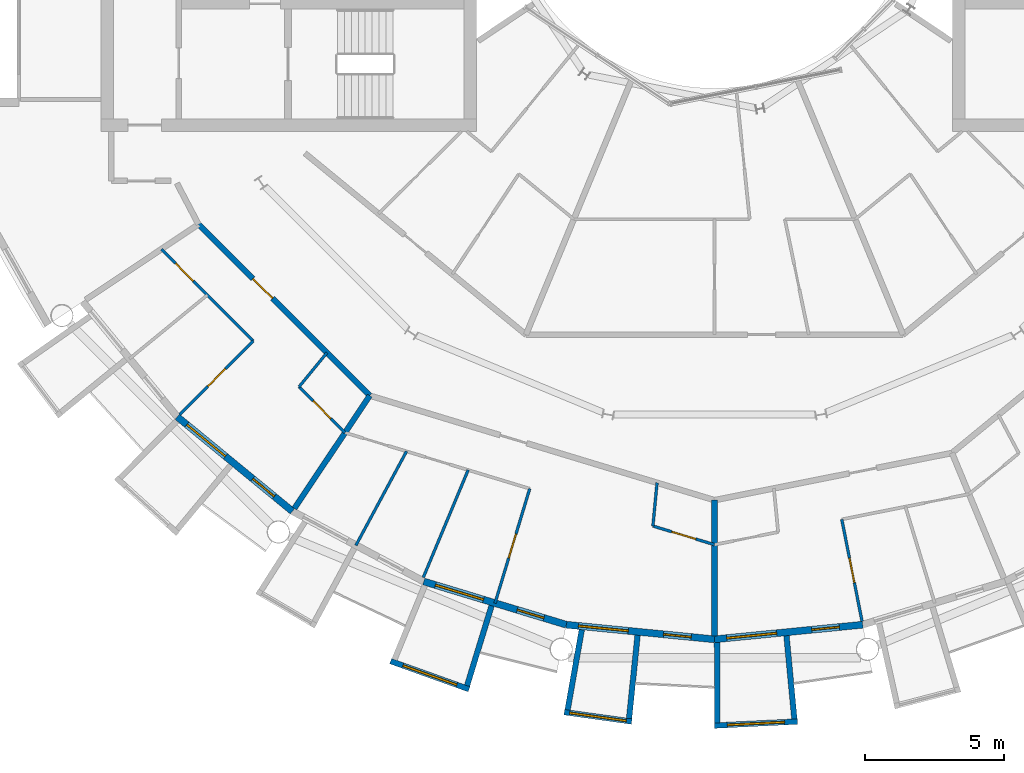
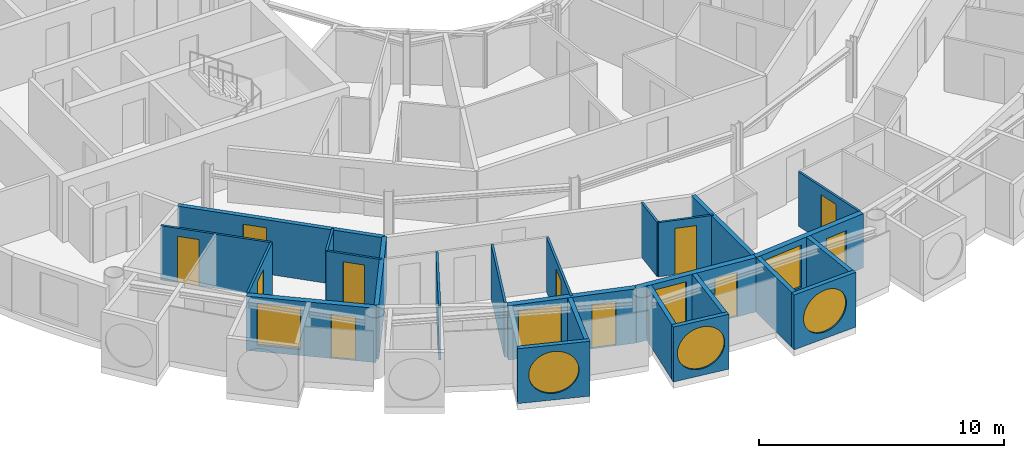
# One storey, part 15 of 27: 25 walls, 11 doors, 7 windows, 18 openings.
"""IFC4 building model written with IfcOpenShell, lengths in metres."""

from ifc_helpers import new_model, si_unit, direction, frame, frame_2d, origin, place, context, subcontext, project, spatial, rectangle, circle, extrude, material, layer, layer_set, type_object, element, fill, save


model = new_model("IFC4")

# Units and contexts
model_context = context("Model", 3, precision=1e-05, world=origin(), true_north=direction((0.0, 1.0)))
body_context = subcontext(model_context, "Body", "Model", "MODEL_VIEW")
ifc_project = project(units=[si_unit("LENGTHUNIT", "METRE"), si_unit("AREAUNIT", "SQUARE_METRE"), si_unit("VOLUMEUNIT", "CUBIC_METRE"), si_unit("PLANEANGLEUNIT", "RADIAN"), si_unit("MASSUNIT", "GRAM", prefix="KILO")], contexts=[model_context])

# Site, building, storey
site_placement = place(None, origin())
site = spatial("IfcSite", under=ifc_project, at=site_placement, CompositionType="ELEMENT")
building_placement = place(site_placement, origin())
building = spatial("IfcBuilding", under=site, at=building_placement, Name="Maasbend Ring Residences", CompositionType="ELEMENT")
storey_placement = place(building_placement, frame((0.0, 0.0, 199.35009765625)))
storey = spatial("IfcBuildingStorey", under=building, at=storey_placement, Name="L57", CompositionType="ELEMENT", Elevation=199.35009765625)

# Wall, opening, door
ifc_material_1 = material(Name="Concrete C30/37", Category="concrete")
ifc_layer_1 = layer(ifc_material_1, 0.199951171875)
ifc_layer_set_1 = layer_set([ifc_layer_1], Name="Concrete C30/37")
wall_type_1 = type_object("IfcWallType", Name="CORRIDOR WALL 200 CONCRETE", PredefinedType="PARTITIONING", material=ifc_layer_set_1)
wall_1_placement = place(storey_placement, frame((-18.5419921875, -12.388916015625, 0.0), z_axis=(0.0, 0.0, 1.0), x_axis=(0.707106781187, -0.707106781187, 0.0)))
wall_1 = element("IfcWall", 1, at=wall_1_placement, inside=storey, type_object=wall_type_1, Name="U-L57-w011", PredefinedType="PARTITIONING", context=body_context, shape_type="SweptSolid", body=[
    extrude(rectangle(XDim=8.70166015625, YDim=0.199951171875, at=frame_2d((4.350830078125, 0.0))), origin(), (0.0, 0.0, 1.0), 2.699951171875),
])
opening_1_placement = place(wall_1_placement, frame((2.762939453125, 0.0, 0.0)))
opening_1 = element("IfcOpeningElement", 2, at=opening_1_placement, cuts=wall_1, Name="Opening D-5731", PredefinedType="OPENING", context=body_context, shape_type="SweptSolid", body=[
    extrude(rectangle(XDim=1.0, YDim=2.300048828125, at=frame_2d((0.5, 1.14990234375))), frame((0.0, 0.10986328125, 0.0), z_axis=(0.0, -1.0, 0.0), x_axis=(1.0, 0.0, 0.0)), (0.0, 0.0, 1.0), 0.219970703125),
])
ifc_material_2 = material(Name="Timber, fire-rated, painted", Category="wood")
door_type_1 = type_object("IfcDoorType", Name="FLAT ENTRANCE DOOR 1000 X 2300 FIRE-RATED", OperationType="NOTDEFINED", PredefinedType="DOOR", material=ifc_material_2)
door_1_placement = place(opening_1_placement, origin())
door_1 = element("IfcDoor", 3, at=door_1_placement, inside=storey, type_object=door_type_1, Name="D-5731", OperationType="SINGLE_SWING_LEFT", OverallHeight=2.300048828125, OverallWidth=1.0, PredefinedType="DOOR", context=body_context, shape_type="SweptSolid", body=[
    extrude(rectangle(XDim=1.0, YDim=2.300048828125, at=frame_2d((0.5, 1.14990234375))), frame((0.0, 0.02490234375, 0.0), z_axis=(0.0, -1.0, 0.0), x_axis=(1.0, 0.0, 0.0)), (0.0, 0.0, 1.0), 0.050048828125),
])
fill(opening_1, door_1)

# Wall, opening, window
ifc_material_3 = material(Name="Pale anodised aluminium panel", Category="aluminium")
ifc_layer_2 = layer(ifc_material_3, 0.199951171875)
ifc_layer_set_2 = layer_set([ifc_layer_2], Name="EW-BOX")
wall_type_2 = type_object("IfcWallType", Name="EW-BOX", PredefinedType="SOLIDWALL", material=ifc_layer_set_2)
wall_2_placement = place(storey_placement, frame((-11.637939453125, -28.083984375, -0.030029296875), z_axis=(0.0, 0.0, 1.0), x_axis=(0.941461077774, -0.337121697664, 0.0)))
wall_2 = element("IfcWall", 4, at=wall_2_placement, inside=storey, type_object=wall_type_2, Name="Box front S07", PredefinedType="SOLIDWALL", context=body_context, shape_type="SweptSolid", body=[
    extrude(rectangle(XDim=2.9931640625, YDim=0.199951171875, at=frame_2d((1.49658203125, 0.0))), origin(), (0.0, 0.0, 1.0), 2.72998046875),
])
opening_2_placement = place(wall_2_placement, frame((0.45654296875, 0.0, 0.330078125)))
opening_2 = element("IfcOpeningElement", 5, at=opening_2_placement, cuts=wall_2, Name="Opening W-RD", PredefinedType="OPENING", context=body_context, shape_type="SweptSolid", body=[
    extrude(circle(Radius=1.0400390625, at=frame_2d((1.0400390625, 1.0400390625))), frame((0.0, 0.10986328125, 0.0), z_axis=(0.0, -1.0, 0.0), x_axis=(1.0, 0.0, 0.0)), (0.0, 0.0, 1.0), 0.219970703125),
])
ifc_material_4 = material(Name="Aluminium and clear glass", Category="aluminium")
window_type_1 = type_object("IfcWindowType", Name="W-RD", PartitioningType="SINGLE_PANEL", PredefinedType="WINDOW", material=ifc_material_4)
window_1_placement = place(opening_2_placement, origin())
window_1 = element("IfcWindow", 6, at=window_1_placement, inside=storey, type_object=window_type_1, Name="Round window S07", OverallHeight=2.080078125, OverallWidth=2.080078125, PartitioningType="SINGLE_PANEL", PredefinedType="WINDOW", context=body_context, shape_type="SweptSolid", body=[
    extrude(circle(Radius=1.0400390625, at=frame_2d((1.0400390625, 1.0400390625))), frame((0.0, 0.030029296875, 0.0), z_axis=(0.0, -1.0, 0.0), x_axis=(1.0, 0.0, 0.0)), (0.0, 0.0, 1.0), 0.06005859375),
])
fill(opening_2, window_1)

# Wall
wall_3_placement = place(storey_placement, frame((-8.009033203125, -26.092041015625, -0.030029296875), z_axis=(0.0, 0.0, 1.0), x_axis=(-0.293406695073, -0.955987715029, 0.0)))
element("IfcWall", 7, at=wall_3_placement, inside=storey, type_object=wall_type_2, Name="Box side wall S07 right", PredefinedType="SOLIDWALL", context=body_context, shape_type="SweptSolid", body=[
    extrude(rectangle(XDim=3.00634765625, YDim=0.199951171875, at=frame_2d((1.503173828125, 0.0))), origin(), (0.0, 0.0, 1.0), 2.72998046875),
])

# Wall, opening, window
wall_4_placement = place(storey_placement, frame((-5.39794921875, -29.9169921875, -0.030029296875), z_axis=(0.0, 0.0, 1.0), x_axis=(0.990462016113, -0.137786046596, 0.0)))
wall_4 = element("IfcWall", 8, at=wall_4_placement, inside=storey, type_object=wall_type_2, Name="Box front S09", PredefinedType="SOLIDWALL", context=body_context, shape_type="SweptSolid", body=[
    extrude(rectangle(XDim=2.4453125, YDim=0.199951171875, at=frame_2d((1.22265625, 0.0))), origin(), (0.0, 0.0, 1.0), 2.72998046875),
])
opening_3_placement = place(wall_4_placement, frame((0.182861328125, 0.0, 0.330078125)))
opening_3 = element("IfcOpeningElement", 9, at=opening_3_placement, cuts=wall_4, Name="Opening W-RD", PredefinedType="OPENING", context=body_context, shape_type="SweptSolid", body=[
    extrude(circle(Radius=1.0400390625, at=frame_2d((1.0400390625, 1.0400390625))), frame((0.0, 0.10986328125, 0.0), z_axis=(0.0, -1.0, 0.0), x_axis=(1.0, 0.0, 0.0)), (0.0, 0.0, 1.0), 0.219970703125),
])
window_2_placement = place(opening_3_placement, origin())
window_2 = element("IfcWindow", 10, at=window_2_placement, inside=storey, type_object=window_type_1, Name="Round window S09", OverallHeight=2.080078125, OverallWidth=2.080078125, PartitioningType="SINGLE_PANEL", PredefinedType="WINDOW", context=body_context, shape_type="SweptSolid", body=[
    extrude(circle(Radius=1.0400390625, at=frame_2d((1.0400390625, 1.0400390625))), frame((0.0, 0.030029296875, 0.0), z_axis=(0.0, -1.0, 0.0), x_axis=(1.0, 0.0, 0.0)), (0.0, 0.0, 1.0), 0.06005859375),
])
fill(opening_3, window_2)

# Walls
wall_5_placement = place(storey_placement, frame((-4.76904296875, -26.9560546875, -0.030029296875), z_axis=(0.0, 0.0, 1.0), x_axis=(-0.174056778901, -0.984735618183, 0.0)))
element("IfcWall", 11, at=wall_5_placement, inside=storey, type_object=wall_type_2, Name="Box side wall S09 left", PredefinedType="SOLIDWALL", context=body_context, shape_type="SweptSolid", body=[
    extrude(rectangle(XDim=2.924560546875, YDim=0.199951171875, at=frame_2d((1.46240234375, 0.0))), origin(), (0.0, 0.0, 1.0), 2.72998046875),
])
wall_6_placement = place(storey_placement, frame((-2.763916015625, -27.153076171875, -0.030029296875), z_axis=(0.0, 0.0, 1.0), x_axis=(-0.101505487237, -0.994834979311, 0.0)))
element("IfcWall", 12, at=wall_6_placement, inside=storey, type_object=wall_type_2, Name="Box side wall S09 right", PredefinedType="SOLIDWALL", context=body_context, shape_type="SweptSolid", body=[
    extrude(rectangle(XDim=3.006591796875, YDim=0.199951171875, at=frame_2d((1.50341796875, 0.0))), origin(), (0.0, 0.0, 1.0), 2.72998046875),
])

# Wall, opening, window
wall_7_placement = place(storey_placement, frame((-0.0048828125, -30.39990234375, -0.030029296875), z_axis=(0.0, 0.0, 1.0), x_axis=(0.998794083011, 0.049095618353, 0.0)))
wall_7 = element("IfcWall", 13, at=wall_7_placement, inside=storey, type_object=wall_type_2, Name="Box front S11", PredefinedType="SOLIDWALL", context=body_context, shape_type="SweptSolid", body=[
    extrude(rectangle(XDim=2.99365234375, YDim=0.199951171875, at=frame_2d((1.496826171875, 0.0))), origin(), (0.0, 0.0, 1.0), 2.72998046875),
])
opening_4_placement = place(wall_7_placement, frame((0.45654296875, 0.0, 0.330078125)))
opening_4 = element("IfcOpeningElement", 14, at=opening_4_placement, cuts=wall_7, Name="Opening W-RD", PredefinedType="OPENING", context=body_context, shape_type="SweptSolid", body=[
    extrude(circle(Radius=1.0400390625, at=frame_2d((1.0400390625, 1.0400390625))), frame((0.0, 0.10986328125, 0.0), z_axis=(0.0, -1.0, 0.0), x_axis=(1.0, 0.0, 0.0)), (0.0, 0.0, 1.0), 0.219970703125),
])
window_3_placement = place(opening_4_placement, origin())
window_3 = element("IfcWindow", 15, at=window_3_placement, inside=storey, type_object=window_type_1, Name="Round window S11", OverallHeight=2.080078125, OverallWidth=2.080078125, PartitioningType="SINGLE_PANEL", PredefinedType="WINDOW", context=body_context, shape_type="SweptSolid", body=[
    extrude(circle(Radius=1.0400390625, at=frame_2d((1.0400390625, 1.0400390625))), frame((0.0, 0.030029296875, 0.0), z_axis=(0.0, -1.0, 0.0), x_axis=(1.0, 0.0, 0.0)), (0.0, 0.0, 1.0), 0.06005859375),
])
fill(opening_4, window_3)

# Walls
wall_8_placement = place(storey_placement, frame((0.090087890625, -27.4169921875, -0.030029296875), z_axis=(0.0, 0.0, 1.0), x_axis=(0.00347308367, -0.999993968827, 0.0)))
element("IfcWall", 16, at=wall_8_placement, inside=storey, type_object=wall_type_2, Name="Box side wall S11 left", PredefinedType="SOLIDWALL", context=body_context, shape_type="SweptSolid", body=[
    extrude(rectangle(XDim=2.882080078125, YDim=0.199951171875, at=frame_2d((1.44091796875, 0.0))), origin(), (0.0, 0.0, 1.0), 2.72998046875),
])
wall_9_placement = place(storey_placement, frame((2.5859375, -27.1708984375, -0.030029296875), z_axis=(0.0, 0.0, 1.0), x_axis=(0.094548432284, -0.995520262954, 0.0)))
element("IfcWall", 17, at=wall_9_placement, inside=storey, type_object=wall_type_2, Name="Box side wall S11 right", PredefinedType="SOLIDWALL", context=body_context, shape_type="SweptSolid", body=[
    extrude(rectangle(XDim=3.005615234375, YDim=0.199951171875, at=frame_2d((1.5029296875, 0.0))), origin(), (0.0, 0.0, 1.0), 2.72998046875),
])

# Wall, openings, door, window
ifc_material_5 = material(Name="Aluminium clad insulated panel", Category="aluminium")
ifc_layer_3 = layer(ifc_material_5, 0.25)
ifc_layer_set_3 = layer_set([ifc_layer_3], Name="EW-GL")
wall_type_3 = type_object("IfcWallType", Name="EW-GL", PredefinedType="SOLIDWALL", material=ifc_layer_set_3)
wall_10_placement = place(storey_placement, frame((-19.303955078125, -19.303955078125, 0.0), z_axis=(0.0, 0.0, 1.0), x_axis=(0.773019449054, -0.634382322723, 0.0)))
wall_10 = element("IfcWall", 18, at=wall_10_placement, inside=storey, type_object=wall_type_3, Name="External wall S02", PredefinedType="SOLIDWALL", context=body_context, shape_type="SweptSolid", body=[
    extrude(rectangle(XDim=5.351806640625, YDim=0.25, at=frame_2d((2.67578125, 0.0))), origin(), (0.0, 0.0, 1.0), 2.699951171875),
])
opening_5_placement = place(wall_10_placement, frame((0.441162109375, 0.0, 0.300048828125)))
opening_5 = element("IfcOpeningElement", 19, at=opening_5_placement, cuts=wall_10, Name="Opening W-BX", PredefinedType="OPENING", context=body_context, shape_type="SweptSolid", body=[
    extrude(rectangle(XDim=1.800048828125, YDim=2.10009765625, at=frame_2d((0.89990234375, 1.050048828125))), frame((0.0, 0.135009765625, 0.0), z_axis=(0.0, -1.0, 0.0), x_axis=(1.0, 0.0, 0.0)), (0.0, 0.0, 1.0), 0.27001953125),
])
opening_6_placement = place(wall_10_placement, frame((3.510498046875, 0.0, 0.0)))
opening_6 = element("IfcOpeningElement", 20, at=opening_6_placement, cuts=wall_10, Name="Opening D-LG", PredefinedType="OPENING", context=body_context, shape_type="SweptSolid", body=[
    extrude(rectangle(XDim=1.0, YDim=2.199951171875, at=frame_2d((0.5, 1.10009765625))), frame((0.0, 0.135009765625, 0.0), z_axis=(0.0, -1.0, 0.0), x_axis=(1.0, 0.0, 0.0)), (0.0, 0.0, 1.0), 0.27001953125),
])
ifc_material_6 = material(Name="Aluminium and clear glass", Category="aluminium")
door_type_2 = type_object("IfcDoorType", Name="D-LG", OperationType="SINGLE_SWING_LEFT", PredefinedType="DOOR", material=ifc_material_6)
door_2_placement = place(opening_6_placement, origin())
door_2 = element("IfcDoor", 21, at=door_2_placement, inside=storey, type_object=door_type_2, Name="Loggia door S04", OperationType="SINGLE_SWING_LEFT", OverallHeight=2.199951171875, OverallWidth=1.0, PredefinedType="DOOR", context=body_context, shape_type="SweptSolid", body=[
    extrude(rectangle(XDim=1.0, YDim=2.199951171875, at=frame_2d((0.5, 1.10009765625))), frame((0.0, 0.02490234375, 0.0), z_axis=(0.0, -1.0, 0.0), x_axis=(1.0, 0.0, 0.0)), (0.0, 0.0, 1.0), 0.050048828125),
])
fill(opening_6, door_2)
ifc_material_7 = material(Name="Aluminium and clear glass", Category="aluminium")
window_type_2 = type_object("IfcWindowType", Name="W-BX", PartitioningType="DOUBLE_PANEL_VERTICAL", PredefinedType="WINDOW", material=ifc_material_7)
window_4_placement = place(opening_5_placement, origin())
window_4 = element("IfcWindow", 22, at=window_4_placement, inside=storey, type_object=window_type_2, Name="Window S03 room to box", OverallHeight=2.10009765625, OverallWidth=1.800048828125, PartitioningType="SINGLE_PANEL", PredefinedType="WINDOW", context=body_context, shape_type="SweptSolid", body=[
    extrude(rectangle(XDim=1.800048828125, YDim=2.10009765625, at=frame_2d((0.89990234375, 1.050048828125))), frame((0.0, 0.030029296875, 0.0), z_axis=(0.0, -1.0, 0.0), x_axis=(1.0, 0.0, 0.0)), (0.0, 0.0, 1.0), 0.06005859375),
])
fill(opening_5, window_4)

wall_11_placement = place(storey_placement, frame((-10.447021484375, -25.221923828125, 0.0), z_axis=(0.0, 0.0, 1.0), x_axis=(0.956965678721, -0.290201119486, 0.0)))
wall_11 = element("IfcWall", 23, at=wall_11_placement, inside=storey, type_object=wall_type_3, Name="External wall S04", PredefinedType="SOLIDWALL", context=body_context, shape_type="SweptSolid", body=[
    extrude(rectangle(XDim=5.351318359375, YDim=0.25, at=frame_2d((2.67578125, 0.0))), origin(), (0.0, 0.0, 1.0), 2.699951171875),
])
opening_7_placement = place(wall_11_placement, frame((0.441162109375, 0.0, 0.300048828125)))
opening_7 = element("IfcOpeningElement", 24, at=opening_7_placement, cuts=wall_11, Name="Opening W-BX", PredefinedType="OPENING", context=body_context, shape_type="SweptSolid", body=[
    extrude(rectangle(XDim=1.800048828125, YDim=2.10009765625, at=frame_2d((0.89990234375, 1.050048828125))), frame((0.0, 0.135009765625, 0.0), z_axis=(0.0, -1.0, 0.0), x_axis=(1.0, 0.0, 0.0)), (0.0, 0.0, 1.0), 0.27001953125),
])
opening_8_placement = place(wall_11_placement, frame((3.510498046875, 0.0, 0.0)))
opening_8 = element("IfcOpeningElement", 25, at=opening_8_placement, cuts=wall_11, Name="Opening D-LG", PredefinedType="OPENING", context=body_context, shape_type="SweptSolid", body=[
    extrude(rectangle(XDim=1.0, YDim=2.199951171875, at=frame_2d((0.5, 1.10009765625))), frame((0.0, 0.135009765625, 0.0), z_axis=(0.0, -1.0, 0.0), x_axis=(1.0, 0.0, 0.0)), (0.0, 0.0, 1.0), 0.27001953125),
])
door_3_placement = place(opening_8_placement, origin())
door_3 = element("IfcDoor", 26, at=door_3_placement, inside=storey, type_object=door_type_2, Name="Loggia door S08", OperationType="SINGLE_SWING_LEFT", OverallHeight=2.199951171875, OverallWidth=1.0, PredefinedType="DOOR", context=body_context, shape_type="SweptSolid", body=[
    extrude(rectangle(XDim=1.0, YDim=2.199951171875, at=frame_2d((0.5, 1.10009765625))), frame((0.0, 0.02490234375, 0.0), z_axis=(0.0, -1.0, 0.0), x_axis=(1.0, 0.0, 0.0)), (0.0, 0.0, 1.0), 0.050048828125),
])
fill(opening_8, door_3)
window_5_placement = place(opening_7_placement, origin())
window_5 = element("IfcWindow", 27, at=window_5_placement, inside=storey, type_object=window_type_2, Name="Window S07 room to box", OverallHeight=2.10009765625, OverallWidth=1.800048828125, PartitioningType="SINGLE_PANEL", PredefinedType="WINDOW", context=body_context, shape_type="SweptSolid", body=[
    extrude(rectangle(XDim=1.800048828125, YDim=2.10009765625, at=frame_2d((0.89990234375, 1.050048828125))), frame((0.0, 0.030029296875, 0.0), z_axis=(0.0, -1.0, 0.0), x_axis=(1.0, 0.0, 0.0)), (0.0, 0.0, 1.0), 0.06005859375),
])
fill(opening_7, window_5)

wall_12_placement = place(storey_placement, frame((-5.325927734375, -26.77490234375, 0.0), z_axis=(0.0, 0.0, 1.0), x_axis=(0.995173996315, -0.098126026407, 0.0)))
wall_12 = element("IfcWall", 28, at=wall_12_placement, inside=storey, type_object=wall_type_3, Name="External wall S05", PredefinedType="SOLIDWALL", context=body_context, shape_type="SweptSolid", body=[
    extrude(rectangle(XDim=5.351806640625, YDim=0.25, at=frame_2d((2.67578125, 0.0))), origin(), (0.0, 0.0, 1.0), 2.699951171875),
])
opening_9_placement = place(wall_12_placement, frame((0.441162109375, 0.0, 0.300048828125)))
opening_9 = element("IfcOpeningElement", 29, at=opening_9_placement, cuts=wall_12, Name="Opening W-BX", PredefinedType="OPENING", context=body_context, shape_type="SweptSolid", body=[
    extrude(rectangle(XDim=1.800048828125, YDim=2.10009765625, at=frame_2d((0.89990234375, 1.050048828125))), frame((0.0, 0.135009765625, 0.0), z_axis=(0.0, -1.0, 0.0), x_axis=(1.0, 0.0, 0.0)), (0.0, 0.0, 1.0), 0.27001953125),
])
opening_10_placement = place(wall_12_placement, frame((3.510498046875, 0.0, 0.0)))
opening_10 = element("IfcOpeningElement", 30, at=opening_10_placement, cuts=wall_12, Name="Opening D-LG", PredefinedType="OPENING", context=body_context, shape_type="SweptSolid", body=[
    extrude(rectangle(XDim=1.0, YDim=2.199951171875, at=frame_2d((0.5, 1.10009765625))), frame((0.0, 0.135009765625, 0.0), z_axis=(0.0, -1.0, 0.0), x_axis=(1.0, 0.0, 0.0)), (0.0, 0.0, 1.0), 0.27001953125),
])
door_4_placement = place(opening_10_placement, origin())
door_4 = element("IfcDoor", 31, at=door_4_placement, inside=storey, type_object=door_type_2, Name="Loggia door S10", OperationType="SINGLE_SWING_LEFT", OverallHeight=2.199951171875, OverallWidth=1.0, PredefinedType="DOOR", context=body_context, shape_type="SweptSolid", body=[
    extrude(rectangle(XDim=1.0, YDim=2.199951171875, at=frame_2d((0.5, 1.10009765625))), frame((0.0, 0.02490234375, 0.0), z_axis=(0.0, -1.0, 0.0), x_axis=(1.0, 0.0, 0.0)), (0.0, 0.0, 1.0), 0.050048828125),
])
fill(opening_10, door_4)
window_6_placement = place(opening_9_placement, origin())
window_6 = element("IfcWindow", 32, at=window_6_placement, inside=storey, type_object=window_type_2, Name="Window S09 room to box", OverallHeight=2.10009765625, OverallWidth=1.800048828125, PartitioningType="SINGLE_PANEL", PredefinedType="WINDOW", context=body_context, shape_type="SweptSolid", body=[
    extrude(rectangle(XDim=1.800048828125, YDim=2.10009765625, at=frame_2d((0.89990234375, 1.050048828125))), frame((0.0, 0.030029296875, 0.0), z_axis=(0.0, -1.0, 0.0), x_axis=(1.0, 0.0, 0.0)), (0.0, 0.0, 1.0), 0.06005859375),
])
fill(opening_9, window_6)

wall_13_placement = place(storey_placement, frame((0.0, -27.300048828125, 0.0), z_axis=(0.0, 0.0, 1.0), x_axis=(0.995173996315, 0.098126026407, 0.0)))
wall_13 = element("IfcWall", 33, at=wall_13_placement, inside=storey, type_object=wall_type_3, Name="External wall S06", PredefinedType="SOLIDWALL", context=body_context, shape_type="SweptSolid", body=[
    extrude(rectangle(XDim=5.351806640625, YDim=0.25, at=frame_2d((2.67578125, 0.0))), origin(), (0.0, 0.0, 1.0), 2.699951171875),
])
opening_11_placement = place(wall_13_placement, frame((0.441162109375, 0.0, 0.300048828125)))
opening_11 = element("IfcOpeningElement", 34, at=opening_11_placement, cuts=wall_13, Name="Opening W-BX", PredefinedType="OPENING", context=body_context, shape_type="SweptSolid", body=[
    extrude(rectangle(XDim=1.800048828125, YDim=2.10009765625, at=frame_2d((0.89990234375, 1.050048828125))), frame((0.0, 0.135009765625, 0.0), z_axis=(0.0, -1.0, 0.0), x_axis=(1.0, 0.0, 0.0)), (0.0, 0.0, 1.0), 0.27001953125),
])
opening_12_placement = place(wall_13_placement, frame((3.510498046875, 0.0, 0.0)))
opening_12 = element("IfcOpeningElement", 35, at=opening_12_placement, cuts=wall_13, Name="Opening D-LG", PredefinedType="OPENING", context=body_context, shape_type="SweptSolid", body=[
    extrude(rectangle(XDim=1.0, YDim=2.199951171875, at=frame_2d((0.5, 1.10009765625))), frame((0.0, 0.135009765625, 0.0), z_axis=(0.0, -1.0, 0.0), x_axis=(1.0, 0.0, 0.0)), (0.0, 0.0, 1.0), 0.27001953125),
])
door_5_placement = place(opening_12_placement, origin())
door_5 = element("IfcDoor", 36, at=door_5_placement, inside=storey, type_object=door_type_2, Name="Loggia door S12", OperationType="SINGLE_SWING_LEFT", OverallHeight=2.199951171875, OverallWidth=1.0, PredefinedType="DOOR", context=body_context, shape_type="SweptSolid", body=[
    extrude(rectangle(XDim=1.0, YDim=2.199951171875, at=frame_2d((0.5, 1.10009765625))), frame((0.0, 0.02490234375, 0.0), z_axis=(0.0, -1.0, 0.0), x_axis=(1.0, 0.0, 0.0)), (0.0, 0.0, 1.0), 0.050048828125),
])
fill(opening_12, door_5)
window_7_placement = place(opening_11_placement, origin())
window_7 = element("IfcWindow", 37, at=window_7_placement, inside=storey, type_object=window_type_2, Name="Window S11 room to box", OverallHeight=2.10009765625, OverallWidth=1.800048828125, PartitioningType="SINGLE_PANEL", PredefinedType="WINDOW", context=body_context, shape_type="SweptSolid", body=[
    extrude(rectangle(XDim=1.800048828125, YDim=2.10009765625, at=frame_2d((0.89990234375, 1.050048828125))), frame((0.0, 0.030029296875, 0.0), z_axis=(0.0, -1.0, 0.0), x_axis=(1.0, 0.0, 0.0)), (0.0, 0.0, 1.0), 0.06005859375),
])
fill(opening_11, window_7)

# Wall, opening, door
ifc_material_8 = material(Name="Gypsum board on steel studs", Category="steel")
ifc_layer_4 = layer(ifc_material_8, 0.10009765625)
ifc_layer_set_4 = layer_set([ifc_layer_4], Name="PARTITION 100 GYPSUM")
wall_type_4 = type_object("IfcWallType", Name="PARTITION 100 GYPSUM", PredefinedType="PARTITIONING", material=ifc_layer_set_4)
wall_14_placement = place(storey_placement, frame((-19.868896484375, -13.284912109375, 0.0), z_axis=(0.0, 0.0, 1.0), x_axis=(0.707290020325, -0.706923494552, 0.0)))
wall_14 = element("IfcWall", 38, at=wall_14_placement, inside=storey, type_object=wall_type_4, Name="U-L57-w001", PredefinedType="PARTITIONING", context=body_context, shape_type="SweptSolid", body=[
    extrude(rectangle(XDim=4.66259765625, YDim=0.10009765625, at=frame_2d((2.331298828125, 0.0))), origin(), (0.0, 0.0, 1.0), 2.699951171875),
])
opening_13_placement = place(wall_14_placement, frame((0.7119140625, 0.0, 0.0)))
opening_13 = element("IfcOpeningElement", 39, at=opening_13_placement, cuts=wall_14, Name="Opening D-5734", PredefinedType="OPENING", context=body_context, shape_type="SweptSolid", body=[
    extrude(rectangle(XDim=0.89990234375, YDim=2.300048828125, at=frame_2d((0.449951171875, 1.14990234375))), frame((0.0, 0.06005859375, 0.0), z_axis=(0.0, -1.0, 0.0), x_axis=(1.0, 0.0, 0.0)), (0.0, 0.0, 1.0), 0.1201171875),
])
ifc_material_9 = material(Name="Timber, painted", Category="wood")
door_type_3 = type_object("IfcDoorType", Name="INTERNAL DOOR 900 X 2300", OperationType="NOTDEFINED", PredefinedType="DOOR", material=ifc_material_9)
door_6_placement = place(opening_13_placement, origin())
door_6 = element("IfcDoor", 40, at=door_6_placement, inside=storey, type_object=door_type_3, Name="D-5734", OperationType="SINGLE_SWING_LEFT", OverallHeight=2.300048828125, OverallWidth=0.89990234375, PredefinedType="DOOR", context=body_context, shape_type="SweptSolid", body=[
    extrude(rectangle(XDim=0.89990234375, YDim=2.300048828125, at=frame_2d((0.449951171875, 1.14990234375))), frame((0.0, 0.02490234375, 0.0), z_axis=(0.0, -1.0, 0.0), x_axis=(1.0, 0.0, 0.0)), (0.0, 0.0, 1.0), 0.050048828125),
])
fill(opening_13, door_6)

wall_15_placement = place(storey_placement, frame((-14.927001953125, -18.22412109375, 0.0), z_axis=(0.0, 0.0, 1.0), x_axis=(0.707316201218, -0.706897299114, 0.0)))
wall_15 = element("IfcWall", 41, at=wall_15_placement, inside=storey, type_object=wall_type_4, Name="U-L57-w002", PredefinedType="PARTITIONING", context=body_context, shape_type="SweptSolid", body=[
    extrude(rectangle(XDim=2.331298828125, YDim=0.10009765625, at=frame_2d((1.16552734375, 0.0))), origin(), (0.0, 0.0, 1.0), 2.699951171875),
])
opening_14_placement = place(wall_15_placement, frame((0.716064453125, 0.0, 0.0)))
opening_14 = element("IfcOpeningElement", 42, at=opening_14_placement, cuts=wall_15, Name="Opening D-5732", PredefinedType="OPENING", context=body_context, shape_type="SweptSolid", body=[
    extrude(rectangle(XDim=0.89990234375, YDim=2.300048828125, at=frame_2d((0.449951171875, 1.14990234375))), frame((0.0, 0.06005859375, 0.0), z_axis=(0.0, -1.0, 0.0), x_axis=(1.0, 0.0, 0.0)), (0.0, 0.0, 1.0), 0.1201171875),
])
door_7_placement = place(opening_14_placement, origin())
door_7 = element("IfcDoor", 43, at=door_7_placement, inside=storey, type_object=door_type_3, Name="D-5732", OperationType="SINGLE_SWING_LEFT", OverallHeight=2.300048828125, OverallWidth=0.89990234375, PredefinedType="DOOR", context=body_context, shape_type="SweptSolid", body=[
    extrude(rectangle(XDim=0.89990234375, YDim=2.300048828125, at=frame_2d((0.449951171875, 1.14990234375))), frame((0.0, 0.02490234375, 0.0), z_axis=(0.0, -1.0, 0.0), x_axis=(1.0, 0.0, 0.0)), (0.0, 0.0, 1.0), 0.050048828125),
])
fill(opening_14, door_7)

wall_16_placement = place(storey_placement, frame((-2.212890625, -23.22900390625, 0.0), z_axis=(0.0, 0.0, 1.0), x_axis=(0.957056340114, -0.289901986622, 0.0)))
wall_16 = element("IfcWall", 44, at=wall_16_placement, inside=storey, type_object=wall_type_4, Name="U-L57-w006", PredefinedType="PARTITIONING", context=body_context, shape_type="SweptSolid", body=[
    extrude(rectangle(XDim=2.314208984375, YDim=0.10009765625, at=frame_2d((1.1572265625, 0.0))), origin(), (0.0, 0.0, 1.0), 2.699951171875),
])
opening_15_placement = place(wall_16_placement, frame((0.70703125, 0.0, 0.0)))
opening_15 = element("IfcOpeningElement", 45, at=opening_15_placement, cuts=wall_16, Name="Opening D-5736", PredefinedType="OPENING", context=body_context, shape_type="SweptSolid", body=[
    extrude(rectangle(XDim=0.89990234375, YDim=2.300048828125, at=frame_2d((0.449951171875, 1.14990234375))), frame((0.0, 0.06005859375, 0.0), z_axis=(0.0, -1.0, 0.0), x_axis=(1.0, 0.0, 0.0)), (0.0, 0.0, 1.0), 0.1201171875),
])
door_8_placement = place(opening_15_placement, origin())
door_8 = element("IfcDoor", 46, at=door_8_placement, inside=storey, type_object=door_type_3, Name="D-5736", OperationType="SINGLE_SWING_LEFT", OverallHeight=2.300048828125, OverallWidth=0.89990234375, PredefinedType="DOOR", context=body_context, shape_type="SweptSolid", body=[
    extrude(rectangle(XDim=0.89990234375, YDim=2.300048828125, at=frame_2d((0.449951171875, 1.14990234375))), frame((0.0, 0.02490234375, 0.0), z_axis=(0.0, -1.0, 0.0), x_axis=(1.0, 0.0, 0.0)), (0.0, 0.0, 1.0), 0.050048828125),
])
fill(opening_15, door_8)

# Wall
wall_17_placement = place(storey_placement, frame((-14.927001953125, -18.22412109375, 0.0), z_axis=(0.0, 0.0, 1.0), x_axis=(0.633861186344, 0.773446828454, 0.0)))
element("IfcWall", 47, at=wall_17_placement, inside=storey, type_object=wall_type_4, Name="U-L57-w031", PredefinedType="PARTITIONING", context=body_context, shape_type="SweptSolid", body=[
    extrude(rectangle(XDim=1.57763671875, YDim=0.10009765625, at=frame_2d((0.788818359375, 0.0))), origin(), (0.0, 0.0, 1.0), 2.699951171875),
])

# Wall, opening, door
wall_18_placement = place(storey_placement, frame((-19.216064453125, -19.216064453125, 0.0), z_axis=(0.0, 0.0, 1.0), x_axis=(0.707106781187, 0.707106781187, 0.0)))
wall_18 = element("IfcWall", 48, at=wall_18_placement, inside=storey, type_object=wall_type_4, Name="U-L57-w036", PredefinedType="PARTITIONING", context=body_context, shape_type="SweptSolid", body=[
    extrude(rectangle(XDim=3.735107421875, YDim=0.10009765625, at=frame_2d((1.86767578125, 0.0))), origin(), (0.0, 0.0, 1.0), 2.699951171875),
])
opening_16_placement = place(wall_18_placement, frame((1.4169921875, 0.0, 0.0)))
opening_16 = element("IfcOpeningElement", 49, at=opening_16_placement, cuts=wall_18, Name="Opening D-5733", PredefinedType="OPENING", context=body_context, shape_type="SweptSolid", body=[
    extrude(rectangle(XDim=0.89990234375, YDim=2.300048828125, at=frame_2d((0.449951171875, 1.14990234375))), frame((0.0, 0.06005859375, 0.0), z_axis=(0.0, -1.0, 0.0), x_axis=(1.0, 0.0, 0.0)), (0.0, 0.0, 1.0), 0.1201171875),
])
door_9_placement = place(opening_16_placement, origin())
door_9 = element("IfcDoor", 50, at=door_9_placement, inside=storey, type_object=door_type_3, Name="D-5733", OperationType="SINGLE_SWING_LEFT", OverallHeight=2.300048828125, OverallWidth=0.89990234375, PredefinedType="DOOR", context=body_context, shape_type="SweptSolid", body=[
    extrude(rectangle(XDim=0.89990234375, YDim=2.300048828125, at=frame_2d((0.449951171875, 1.14990234375))), frame((0.0, 0.02490234375, 0.0), z_axis=(0.0, -1.0, 0.0), x_axis=(1.0, 0.0, 0.0)), (0.0, 0.0, 1.0), 0.050048828125),
])
fill(opening_16, door_9)

# Walls
wall_19_placement = place(storey_placement, frame((-12.886962890625, -23.925048828125, 0.0), z_axis=(0.0, 0.0, 1.0), x_axis=(0.474281720599, 0.88037313084, 0.0)))
element("IfcWall", 51, at=wall_19_placement, inside=storey, type_object=wall_type_4, Name="U-L57-w041", PredefinedType="PARTITIONING", context=body_context, shape_type="SweptSolid", body=[
    extrude(rectangle(XDim=3.841552734375, YDim=0.10009765625, at=frame_2d((1.9208984375, 0.0))), origin(), (0.0, 0.0, 1.0), 2.699951171875),
])
wall_20_placement = place(storey_placement, frame((-10.465087890625, -25.0791015625, 0.0), z_axis=(0.0, 0.0, 1.0), x_axis=(0.385232176411, 0.922819684585, 0.0)))
element("IfcWall", 52, at=wall_20_placement, inside=storey, type_object=wall_type_4, Name="U-L57-w044", PredefinedType="PARTITIONING", context=body_context, shape_type="SweptSolid", body=[
    extrude(rectangle(XDim=4.187255859375, YDim=0.10009765625, at=frame_2d((2.09375, 0.0))), origin(), (0.0, 0.0, 1.0), 2.699951171875),
])

# Wall, opening, door
wall_21_placement = place(storey_placement, frame((-7.887939453125, -26.0048828125, 0.0), z_axis=(0.0, 0.0, 1.0), x_axis=(0.290193157742, 0.956968093094, 0.0)))
wall_21 = element("IfcWall", 53, at=wall_21_placement, inside=storey, type_object=wall_type_4, Name="U-L57-w049", PredefinedType="PARTITIONING", context=body_context, shape_type="SweptSolid", body=[
    extrude(rectangle(XDim=4.30419921875, YDim=0.10009765625, at=frame_2d((2.152099609375, 0.0))), origin(), (0.0, 0.0, 1.0), 2.699951171875),
])
opening_17_placement = place(wall_21_placement, frame((1.701904296875, 0.0, 0.0)))
opening_17 = element("IfcOpeningElement", 54, at=opening_17_placement, cuts=wall_21, Name="Opening D-5737", PredefinedType="OPENING", context=body_context, shape_type="SweptSolid", body=[
    extrude(rectangle(XDim=0.89990234375, YDim=2.300048828125, at=frame_2d((0.449951171875, 1.14990234375))), frame((0.0, 0.06005859375, 0.0), z_axis=(0.0, -1.0, 0.0), x_axis=(1.0, 0.0, 0.0)), (0.0, 0.0, 1.0), 0.1201171875),
])
door_10_placement = place(opening_17_placement, origin())
door_10 = element("IfcDoor", 55, at=door_10_placement, inside=storey, type_object=door_type_3, Name="D-5737", OperationType="SINGLE_SWING_LEFT", OverallHeight=2.300048828125, OverallWidth=0.89990234375, PredefinedType="DOOR", context=body_context, shape_type="SweptSolid", body=[
    extrude(rectangle(XDim=0.89990234375, YDim=2.300048828125, at=frame_2d((0.449951171875, 1.14990234375))), frame((0.0, 0.02490234375, 0.0), z_axis=(0.0, -1.0, 0.0), x_axis=(1.0, 0.0, 0.0)), (0.0, 0.0, 1.0), 0.050048828125),
])
fill(opening_17, door_10)

# Wall
wall_22_placement = place(storey_placement, frame((-2.212890625, -23.22900390625, 0.0), z_axis=(0.0, 0.0, 1.0), x_axis=(0.094720578196, 0.995503898569, 0.0)))
element("IfcWall", 56, at=wall_22_placement, inside=storey, type_object=wall_type_4, Name="U-L57-w055", PredefinedType="PARTITIONING", context=body_context, shape_type="SweptSolid", body=[
    extrude(rectangle(XDim=1.56201171875, YDim=0.10009765625, at=frame_2d((0.781005859375, 0.0))), origin(), (0.0, 0.0, 1.0), 2.699951171875),
])

# Wall, opening, door
wall_23_placement = place(storey_placement, frame((4.572998046875, -22.989990234375, 0.0), z_axis=(0.0, 0.0, 1.0), x_axis=(0.19518582438, -0.980766278968, 0.0)))
wall_23 = element("IfcWall", 57, at=wall_23_placement, inside=storey, type_object=wall_type_4, Name="U-L57-w069", PredefinedType="PARTITIONING", context=body_context, shape_type="SweptSolid", body=[
    extrude(rectangle(XDim=3.73486328125, YDim=0.10009765625, at=frame_2d((1.867431640625, 0.0))), origin(), (0.0, 0.0, 1.0), 2.699951171875),
])
opening_18_placement = place(wall_23_placement, frame((1.4169921875, 0.0, 0.0)))
opening_18 = element("IfcOpeningElement", 58, at=opening_18_placement, cuts=wall_23, Name="Opening D-5742", PredefinedType="OPENING", context=body_context, shape_type="SweptSolid", body=[
    extrude(rectangle(XDim=0.89990234375, YDim=2.300048828125, at=frame_2d((0.449951171875, 1.14990234375))), frame((0.0, 0.06005859375, 0.0), z_axis=(0.0, -1.0, 0.0), x_axis=(1.0, 0.0, 0.0)), (0.0, 0.0, 1.0), 0.1201171875),
])
door_11_placement = place(opening_18_placement, origin())
door_11 = element("IfcDoor", 59, at=door_11_placement, inside=storey, type_object=door_type_3, Name="D-5742", OperationType="SINGLE_SWING_LEFT", OverallHeight=2.300048828125, OverallWidth=0.89990234375, PredefinedType="DOOR", context=body_context, shape_type="SweptSolid", body=[
    extrude(rectangle(XDim=0.89990234375, YDim=2.300048828125, at=frame_2d((0.449951171875, 1.14990234375))), frame((0.0, 0.02490234375, 0.0), z_axis=(0.0, -1.0, 0.0), x_axis=(1.0, 0.0, 0.0)), (0.0, 0.0, 1.0), 0.050048828125),
])
fill(opening_18, door_11)

# Walls
ifc_material_10 = material(Name="Concrete C30/37", Category="concrete")
ifc_layer_5 = layer(ifc_material_10, 0.199951171875)
ifc_layer_set_5 = layer_set([ifc_layer_5], Name="Concrete C30/37")
wall_type_5 = type_object("IfcWallType", Name="PARTY WALL 200 CONCRETE", PredefinedType="PARTITIONING", material=ifc_layer_set_5)
wall_24_placement = place(storey_placement, frame((-15.095947265625, -22.595947265625, 0.0), z_axis=(0.0, 0.0, 1.0), x_axis=(0.55555521993, 0.831479643532, 0.0)))
element("IfcWall", 60, at=wall_24_placement, inside=storey, type_object=wall_type_5, Name="U-L57-w040", PredefinedType="PARTITIONING", context=body_context, shape_type="SweptSolid", body=[
    extrude(rectangle(XDim=4.87451171875, YDim=0.199951171875, at=frame_2d((2.437255859375, 0.0))), origin(), (0.0, 0.0, 1.0), 2.699951171875),
])
wall_25_placement = place(storey_placement, frame((0.0, -27.175048828125, 0.0), z_axis=(0.0, 0.0, 1.0), x_axis=(0.0, 1.0, 0.0)))
element("IfcWall", 61, at=wall_25_placement, inside=storey, type_object=wall_type_5, Name="U-L57-w058", PredefinedType="PARTITIONING", context=body_context, shape_type="SweptSolid", body=[
    extrude(rectangle(XDim=4.875, YDim=0.199951171875, at=frame_2d((2.4375, 0.0))), origin(), (0.0, 0.0, 1.0), 2.699951171875),
])

save(model, "model.ifc")
